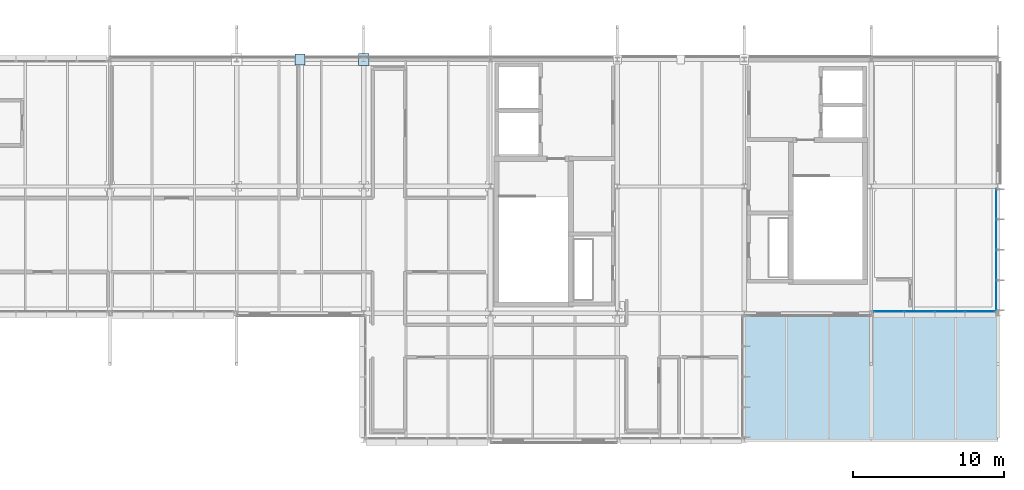
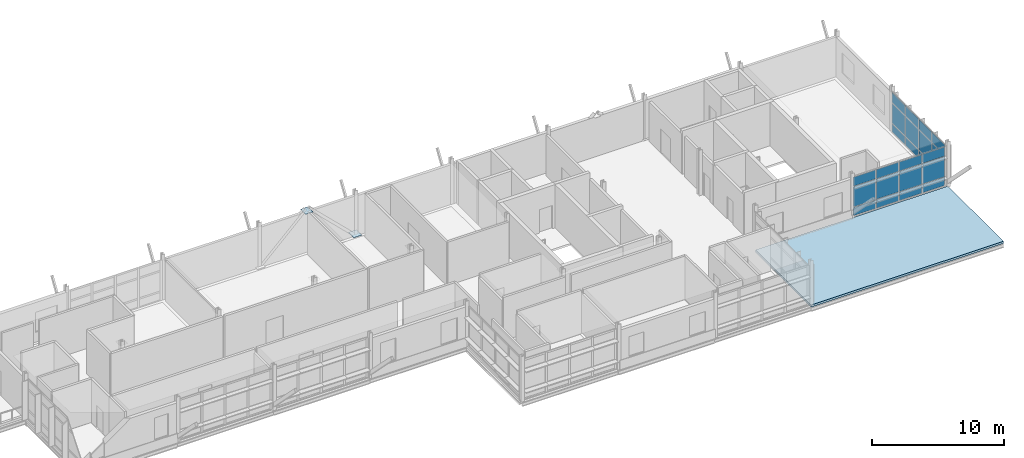
# One storey, part 28 of 35: 26 plates, 1 slab, 2 elements without a shape of their own.
"""IFC4 building model written with IfcOpenShell, lengths in metres."""

from ifc_helpers import new_model, si_unit, direction, frame, origin, origin_2d, place, context, subcontext, project, spatial, polyline, rectangle, outline, extrude, material, layer, layer_set, type_object, element, aggregate, save


model = new_model("IFC4")

# Units and contexts
model_context = context("Model", 3, precision=1e-05, world=origin(), true_north=direction((0.0, 1.0)))
body_context = subcontext(model_context, "Body", "Model", "MODEL_VIEW")
ifc_project = project(units=[si_unit("LENGTHUNIT", "METRE"), si_unit("AREAUNIT", "SQUARE_METRE"), si_unit("VOLUMEUNIT", "CUBIC_METRE"), si_unit("PLANEANGLEUNIT", "RADIAN"), si_unit("MASSUNIT", "GRAM", prefix="KILO")], contexts=[model_context])

# Site, building, storey
site_placement = place(None, origin())
site = spatial("IfcSite", under=ifc_project, at=site_placement, CompositionType="ELEMENT")
building_placement = place(site_placement, origin())
building = spatial("IfcBuilding", under=site, at=building_placement, Name="Mersafa Astral City Hall", CompositionType="ELEMENT")
storey_placement = place(building_placement, frame((0.0, 0.0, 30.14990234375)))
storey = spatial("IfcBuildingStorey", under=building, at=storey_placement, Name="L07", CompositionType="ELEMENT", Elevation=30.14990234375)

# Curtain wall, plates
ifc_material_1 = material(Name="Anodised bronze aluminium framing", Category="aluminium")
curtain_wall_type_1 = type_object("IfcCurtainWallType", Name="ENV-CW-3", PredefinedType="USERDEFINED", material=ifc_material_1)
curtain_wall_1_placement = place(storey_placement, origin())
curtain_wall_1 = element("IfcCurtainWall", 1, at=curtain_wall_1_placement, inside=storey, type_object=curtain_wall_type_1, Name="L07 Unitised solar curtain wall 272", ObjectType="UNITISED CURTAIN WALL", PredefinedType="USERDEFINED")
ifc_material_2 = material(Name="Solar control low-e double glazing", Category="glass")
ifc_layer_1 = layer(ifc_material_2, 0.028076171875, Name="Solar control low-e double glazing")
ifc_layer_set_1 = layer_set([ifc_layer_1], Name="Solar control low-e double glazing — ENV-CW-PNL-GLZ-1")
plate_type_1 = type_object("IfcPlateType", Name="ENV-CW-PNL-GLZ-1", PredefinedType="CURTAIN_PANEL", material=ifc_layer_set_1)
plate_1_placement = place(storey_placement, frame((184.679931640625, 110.386474609375, 0.05810546875), z_axis=(0.0, 0.0, 1.0), x_axis=(0.0, 1.0, 0.0)))
plate_1 = element("IfcPlate", 2, at=plate_1_placement, type_object=plate_type_1, Name="CW-3 panel 1.1", PredefinedType="CURTAIN_PANEL", context=body_context, shape_type="SweptSolid", body=[
    extrude(rectangle(XDim=1.928955078125, YDim=0.028076171875, at=origin_2d()), origin(), (0.0, 0.0, 1.0), 0.761962890625),
])
plate_2_placement = place(storey_placement, frame((184.679931640625, 110.386474609375, 0.8798828125), z_axis=(0.0, 0.0, 1.0), x_axis=(0.0, 1.0, 0.0)))
plate_2 = element("IfcPlate", 3, at=plate_2_placement, type_object=plate_type_1, Name="CW-3 panel 1.2", PredefinedType="CURTAIN_PANEL", context=body_context, shape_type="SweptSolid", body=[
    extrude(rectangle(XDim=1.928955078125, YDim=0.028076171875, at=origin_2d()), origin(), (0.0, 0.0, 1.0), 1.840087890625),
])
plate_3_placement = place(storey_placement, frame((184.679931640625, 110.386474609375, 2.7802734375), z_axis=(0.0, 0.0, 1.0), x_axis=(0.0, 1.0, 0.0)))
plate_3 = element("IfcPlate", 4, at=plate_3_placement, type_object=plate_type_1, Name="CW-3 panel 1.3", PredefinedType="CURTAIN_PANEL", context=body_context, shape_type="SweptSolid", body=[
    extrude(rectangle(XDim=1.928955078125, YDim=0.028076171875, at=origin_2d()), origin(), (0.0, 0.0, 1.0), 0.927001953125),
])
plate_4_placement = place(storey_placement, frame((184.679931640625, 112.390380859375, 0.05810546875), z_axis=(0.0, 0.0, 1.0), x_axis=(0.0, 1.0, 0.0)))
plate_4 = element("IfcPlate", 5, at=plate_4_placement, type_object=plate_type_1, Name="CW-3 panel 2.1", PredefinedType="CURTAIN_PANEL", context=body_context, shape_type="SweptSolid", body=[
    extrude(rectangle(XDim=1.958984375, YDim=0.028076171875, at=origin_2d()), origin(), (0.0, 0.0, 1.0), 0.761962890625),
])
plate_5_placement = place(storey_placement, frame((184.679931640625, 112.390380859375, 0.8798828125), z_axis=(0.0, 0.0, 1.0), x_axis=(0.0, 1.0, 0.0)))
plate_5 = element("IfcPlate", 6, at=plate_5_placement, type_object=plate_type_1, Name="CW-3 panel 2.2", PredefinedType="CURTAIN_PANEL", context=body_context, shape_type="SweptSolid", body=[
    extrude(rectangle(XDim=1.958984375, YDim=0.028076171875, at=origin_2d()), origin(), (0.0, 0.0, 1.0), 1.840087890625),
])
plate_6_placement = place(storey_placement, frame((184.679931640625, 112.390380859375, 2.7802734375), z_axis=(0.0, 0.0, 1.0), x_axis=(0.0, 1.0, 0.0)))
plate_6 = element("IfcPlate", 7, at=plate_6_placement, type_object=plate_type_1, Name="CW-3 panel 2.3", PredefinedType="CURTAIN_PANEL", context=body_context, shape_type="SweptSolid", body=[
    extrude(rectangle(XDim=1.958984375, YDim=0.028076171875, at=origin_2d()), origin(), (0.0, 0.0, 1.0), 0.927001953125),
])
plate_7_placement = place(storey_placement, frame((184.679931640625, 114.409423828125, 0.05810546875), z_axis=(0.0, 0.0, 1.0), x_axis=(0.0, 1.0, 0.0)))
plate_7 = element("IfcPlate", 8, at=plate_7_placement, type_object=plate_type_1, Name="CW-3 panel 3.1", PredefinedType="CURTAIN_PANEL", context=body_context, shape_type="SweptSolid", body=[
    extrude(rectangle(XDim=1.958984375, YDim=0.028076171875, at=origin_2d()), origin(), (0.0, 0.0, 1.0), 0.761962890625),
])
plate_8_placement = place(storey_placement, frame((184.679931640625, 114.409423828125, 0.8798828125), z_axis=(0.0, 0.0, 1.0), x_axis=(0.0, 1.0, 0.0)))
plate_8 = element("IfcPlate", 9, at=plate_8_placement, type_object=plate_type_1, Name="CW-3 panel 3.2", PredefinedType="CURTAIN_PANEL", context=body_context, shape_type="SweptSolid", body=[
    extrude(rectangle(XDim=1.958984375, YDim=0.028076171875, at=origin_2d()), origin(), (0.0, 0.0, 1.0), 1.840087890625),
])
plate_9_placement = place(storey_placement, frame((184.679931640625, 114.409423828125, 2.7802734375), z_axis=(0.0, 0.0, 1.0), x_axis=(0.0, 1.0, 0.0)))
plate_9 = element("IfcPlate", 10, at=plate_9_placement, type_object=plate_type_1, Name="CW-3 panel 3.3", PredefinedType="CURTAIN_PANEL", context=body_context, shape_type="SweptSolid", body=[
    extrude(rectangle(XDim=1.958984375, YDim=0.028076171875, at=origin_2d()), origin(), (0.0, 0.0, 1.0), 0.927001953125),
])
plate_10_placement = place(storey_placement, frame((184.679931640625, 116.41357421875, 0.05810546875), z_axis=(0.0, 0.0, 1.0), x_axis=(0.0, 1.0, 0.0)))
plate_10 = element("IfcPlate", 11, at=plate_10_placement, type_object=plate_type_1, Name="CW-3 panel 4.1", PredefinedType="CURTAIN_PANEL", context=body_context, shape_type="SweptSolid", body=[
    extrude(rectangle(XDim=1.928955078125, YDim=0.028076171875, at=origin_2d()), origin(), (0.0, 0.0, 1.0), 0.761962890625),
])
plate_11_placement = place(storey_placement, frame((184.679931640625, 116.41357421875, 0.8798828125), z_axis=(0.0, 0.0, 1.0), x_axis=(0.0, 1.0, 0.0)))
plate_11 = element("IfcPlate", 12, at=plate_11_placement, type_object=plate_type_1, Name="CW-3 panel 4.2", PredefinedType="CURTAIN_PANEL", context=body_context, shape_type="SweptSolid", body=[
    extrude(rectangle(XDim=1.928955078125, YDim=0.028076171875, at=origin_2d()), origin(), (0.0, 0.0, 1.0), 1.840087890625),
])
plate_12_placement = place(storey_placement, frame((184.679931640625, 116.41357421875, 2.7802734375), z_axis=(0.0, 0.0, 1.0), x_axis=(0.0, 1.0, 0.0)))
plate_12 = element("IfcPlate", 13, at=plate_12_placement, type_object=plate_type_1, Name="CW-3 panel 4.3", PredefinedType="CURTAIN_PANEL", context=body_context, shape_type="SweptSolid", body=[
    extrude(rectangle(XDim=1.928955078125, YDim=0.028076171875, at=origin_2d()), origin(), (0.0, 0.0, 1.0), 0.927001953125),
])
aggregate(curtain_wall_1, [plate_1, plate_2, plate_3, plate_4, plate_5, plate_6, plate_7, plate_8, plate_9, plate_10, plate_11, plate_12])

curtain_wall_type_2 = type_object("IfcCurtainWallType", Name="ENV-CW-2", PredefinedType="USERDEFINED", material=ifc_material_1)
curtain_wall_2_placement = place(storey_placement, origin())
curtain_wall_2 = element("IfcCurtainWall", 14, at=curtain_wall_2_placement, inside=storey, type_object=curtain_wall_type_2, Name="L07 Unitised solar curtain wall 271", ObjectType="UNITISED CURTAIN WALL", PredefinedType="USERDEFINED")
ifc_layer_2 = layer(ifc_material_2, 0.0400390625, Name="Solar control low-e double glazing")
ifc_layer_set_2 = layer_set([ifc_layer_2], Name="Solar control low-e double glazing — ENV-CW-PNL-GLZ-4")
plate_type_2 = type_object("IfcPlateType", Name="ENV-CW-PNL-GLZ-4", PredefinedType="CURTAIN_PANEL", material=ifc_layer_set_2)
plate_13_placement = place(storey_placement, frame((177.58642578125, 109.320068359375, 0.05810546875), z_axis=(0.0, 0.0, 1.0), x_axis=(1.0, 0.0, 0.0)))
plate_13 = element("IfcPlate", 15, at=plate_13_placement, type_object=plate_type_2, Name="CW-2 panel 1.1", PredefinedType="CURTAIN_PANEL", context=body_context, shape_type="SweptSolid", body=[
    extrude(rectangle(XDim=1.928955078125, YDim=0.0400390625, at=origin_2d()), origin(), (0.0, 0.0, 1.0), 0.761962890625),
])
plate_14_placement = place(storey_placement, frame((177.58642578125, 109.320068359375, 0.8798828125), z_axis=(0.0, 0.0, 1.0), x_axis=(1.0, 0.0, 0.0)))
plate_14 = element("IfcPlate", 16, at=plate_14_placement, type_object=plate_type_2, Name="CW-2 panel 1.2", PredefinedType="CURTAIN_PANEL", context=body_context, shape_type="SweptSolid", body=[
    extrude(rectangle(XDim=1.928955078125, YDim=0.0400390625, at=origin_2d()), origin(), (0.0, 0.0, 1.0), 1.840087890625),
])
plate_15_placement = place(storey_placement, frame((177.58642578125, 109.320068359375, 2.780029296875), z_axis=(0.0, 0.0, 1.0), x_axis=(1.0, 0.0, 0.0)))
plate_15 = element("IfcPlate", 17, at=plate_15_placement, type_object=plate_type_2, Name="CW-2 panel 1.3", PredefinedType="CURTAIN_PANEL", context=body_context, shape_type="SweptSolid", body=[
    extrude(rectangle(XDim=1.928955078125, YDim=0.0400390625, at=origin_2d()), origin(), (0.0, 0.0, 1.0), 0.8369140625),
])
plate_16_placement = place(storey_placement, frame((179.590576171875, 109.320068359375, 0.05810546875), z_axis=(0.0, 0.0, 1.0), x_axis=(1.0, 0.0, 0.0)))
plate_16 = element("IfcPlate", 18, at=plate_16_placement, type_object=plate_type_2, Name="CW-2 panel 2.1", PredefinedType="CURTAIN_PANEL", context=body_context, shape_type="SweptSolid", body=[
    extrude(rectangle(XDim=1.958984375, YDim=0.0400390625, at=origin_2d()), origin(), (0.0, 0.0, 1.0), 0.761962890625),
])
plate_17_placement = place(storey_placement, frame((179.590576171875, 109.320068359375, 0.8798828125), z_axis=(0.0, 0.0, 1.0), x_axis=(1.0, 0.0, 0.0)))
plate_17 = element("IfcPlate", 19, at=plate_17_placement, type_object=plate_type_2, Name="CW-2 panel 2.2", PredefinedType="CURTAIN_PANEL", context=body_context, shape_type="SweptSolid", body=[
    extrude(rectangle(XDim=1.958984375, YDim=0.0400390625, at=origin_2d()), origin(), (0.0, 0.0, 1.0), 1.840087890625),
])
plate_18_placement = place(storey_placement, frame((179.590576171875, 109.320068359375, 2.780029296875), z_axis=(0.0, 0.0, 1.0), x_axis=(1.0, 0.0, 0.0)))
plate_18 = element("IfcPlate", 20, at=plate_18_placement, type_object=plate_type_2, Name="CW-2 panel 2.3", PredefinedType="CURTAIN_PANEL", context=body_context, shape_type="SweptSolid", body=[
    extrude(rectangle(XDim=1.958984375, YDim=0.0400390625, at=origin_2d()), origin(), (0.0, 0.0, 1.0), 0.8369140625),
])
plate_19_placement = place(storey_placement, frame((181.609619140625, 109.320068359375, 0.05810546875), z_axis=(0.0, 0.0, 1.0), x_axis=(1.0, 0.0, 0.0)))
plate_19 = element("IfcPlate", 21, at=plate_19_placement, type_object=plate_type_2, Name="CW-2 panel 3.1", PredefinedType="CURTAIN_PANEL", context=body_context, shape_type="SweptSolid", body=[
    extrude(rectangle(XDim=1.958984375, YDim=0.0400390625, at=origin_2d()), origin(), (0.0, 0.0, 1.0), 0.761962890625),
])
plate_20_placement = place(storey_placement, frame((181.609619140625, 109.320068359375, 0.8798828125), z_axis=(0.0, 0.0, 1.0), x_axis=(1.0, 0.0, 0.0)))
plate_20 = element("IfcPlate", 22, at=plate_20_placement, type_object=plate_type_2, Name="CW-2 panel 3.2", PredefinedType="CURTAIN_PANEL", context=body_context, shape_type="SweptSolid", body=[
    extrude(rectangle(XDim=1.958984375, YDim=0.0400390625, at=origin_2d()), origin(), (0.0, 0.0, 1.0), 1.840087890625),
])
plate_21_placement = place(storey_placement, frame((181.609619140625, 109.320068359375, 2.780029296875), z_axis=(0.0, 0.0, 1.0), x_axis=(1.0, 0.0, 0.0)))
plate_21 = element("IfcPlate", 23, at=plate_21_placement, type_object=plate_type_2, Name="CW-2 panel 3.3", PredefinedType="CURTAIN_PANEL", context=body_context, shape_type="SweptSolid", body=[
    extrude(rectangle(XDim=1.958984375, YDim=0.0400390625, at=origin_2d()), origin(), (0.0, 0.0, 1.0), 0.8369140625),
])
plate_22_placement = place(storey_placement, frame((183.613525390625, 109.320068359375, 0.05810546875), z_axis=(0.0, 0.0, 1.0), x_axis=(1.0, 0.0, 0.0)))
plate_22 = element("IfcPlate", 24, at=plate_22_placement, type_object=plate_type_2, Name="CW-2 panel 4.1", PredefinedType="CURTAIN_PANEL", context=body_context, shape_type="SweptSolid", body=[
    extrude(rectangle(XDim=1.928955078125, YDim=0.0400390625, at=origin_2d()), origin(), (0.0, 0.0, 1.0), 0.761962890625),
])
plate_23_placement = place(storey_placement, frame((183.613525390625, 109.320068359375, 0.8798828125), z_axis=(0.0, 0.0, 1.0), x_axis=(1.0, 0.0, 0.0)))
plate_23 = element("IfcPlate", 25, at=plate_23_placement, type_object=plate_type_2, Name="CW-2 panel 4.2", PredefinedType="CURTAIN_PANEL", context=body_context, shape_type="SweptSolid", body=[
    extrude(rectangle(XDim=1.928955078125, YDim=0.0400390625, at=origin_2d()), origin(), (0.0, 0.0, 1.0), 1.840087890625),
])
plate_24_placement = place(storey_placement, frame((183.613525390625, 109.320068359375, 2.780029296875), z_axis=(0.0, 0.0, 1.0), x_axis=(1.0, 0.0, 0.0)))
plate_24 = element("IfcPlate", 26, at=plate_24_placement, type_object=plate_type_2, Name="CW-2 panel 4.3", PredefinedType="CURTAIN_PANEL", context=body_context, shape_type="SweptSolid", body=[
    extrude(rectangle(XDim=1.928955078125, YDim=0.0400390625, at=origin_2d()), origin(), (0.0, 0.0, 1.0), 0.8369140625),
])
aggregate(curtain_wall_2, [plate_13, plate_14, plate_15, plate_16, plate_17, plate_18, plate_19, plate_20, plate_21, plate_22, plate_23, plate_24])

# Plates
ifc_material_3 = material(Name="Steel S355", Category="steel")
ifc_layer_3 = layer(ifc_material_3, 0.02587890625, Name="Steel S355")
ifc_layer_set_3 = layer_set([ifc_layer_3], Name="Steel S355 — STR-PLT-NP-13")
plate_type_3 = type_object("IfcPlateType", Name="STR-PLT-NP-13", PredefinedType="SHEET", material=ifc_layer_set_3)
plate_25_placement = place(storey_placement, frame((138.60009765625, 126.0, 3.707275390625), z_axis=(0.0, 0.0, 1.0), x_axis=(1.0, 0.0, 0.0)))
element("IfcPlate", 27, at=plate_25_placement, inside=storey, type_object=plate_type_3, Name="L07 Structural steel brace gusset plate NP-13", PredefinedType="SHEET", context=body_context, shape_type="SweptSolid", body=[
    extrude(rectangle(XDim=0.659912109375, YDim=0.760009765625, at=origin_2d()), origin(), (0.0, 0.0, 1.0), 0.02587890625),
])
ifc_layer_4 = layer(ifc_material_3, 0.028076171875, Name="Steel S355")
ifc_layer_set_4 = layer_set([ifc_layer_4], Name="Steel S355 — STR-PLT-NP-15")
plate_type_4 = type_object("IfcPlateType", Name="STR-PLT-NP-15", PredefinedType="SHEET", material=ifc_layer_set_4)
plate_26_placement = place(storey_placement, frame((142.802001953125, 126.0, 0.10595703125), z_axis=(0.0, 0.0, 1.0), x_axis=(1.0, 0.0, 0.0)))
element("IfcPlate", 28, at=plate_26_placement, inside=storey, type_object=plate_type_4, Name="L07 Structural steel brace gusset plate NP-15", PredefinedType="SHEET", context=body_context, shape_type="SweptSolid", body=[
    extrude(rectangle(XDim=0.7099609375, YDim=0.820068359375, at=origin_2d()), origin(), (0.0, 0.0, 1.0), 0.028076171875),
])

# Slab
ifc_material_4 = material(Name="Concrete C40/50", Category="concrete")
ifc_layer_5 = layer(ifc_material_4, 0.199951171875, Name="Concrete C40/50")
ifc_layer_set_5 = layer_set([ifc_layer_5], Name="Concrete C40/50 — STR-SLAB-ROOF-200")
slab_type = type_object("IfcSlabType", Name="STR-SLAB-ROOF-200", PredefinedType="ROOF", material=ifc_layer_set_5)
slab_placement = place(storey_placement, frame((0.0, 0.0, -0.199951171875)))
element("IfcSlab", 29, at=slab_placement, inside=storey, type_object=slab_type, Name="L07 Flat structural wing roof slab 2", PredefinedType="ROOF", context=body_context, shape_type="SweptSolid", body=[
    extrude(outline(polyline([(184.800048828125, 100.800048828125), (176.39990234375, 100.800048828125), (168.008056640625, 100.800048828125), (168.008056640625, 109.19189453125), (184.800048828125, 109.19189453125), (184.800048828125, 100.800048828125)])), origin(), (0.0, 0.0, 1.0), 0.199951171875),
])

save(model, "model.ifc")
